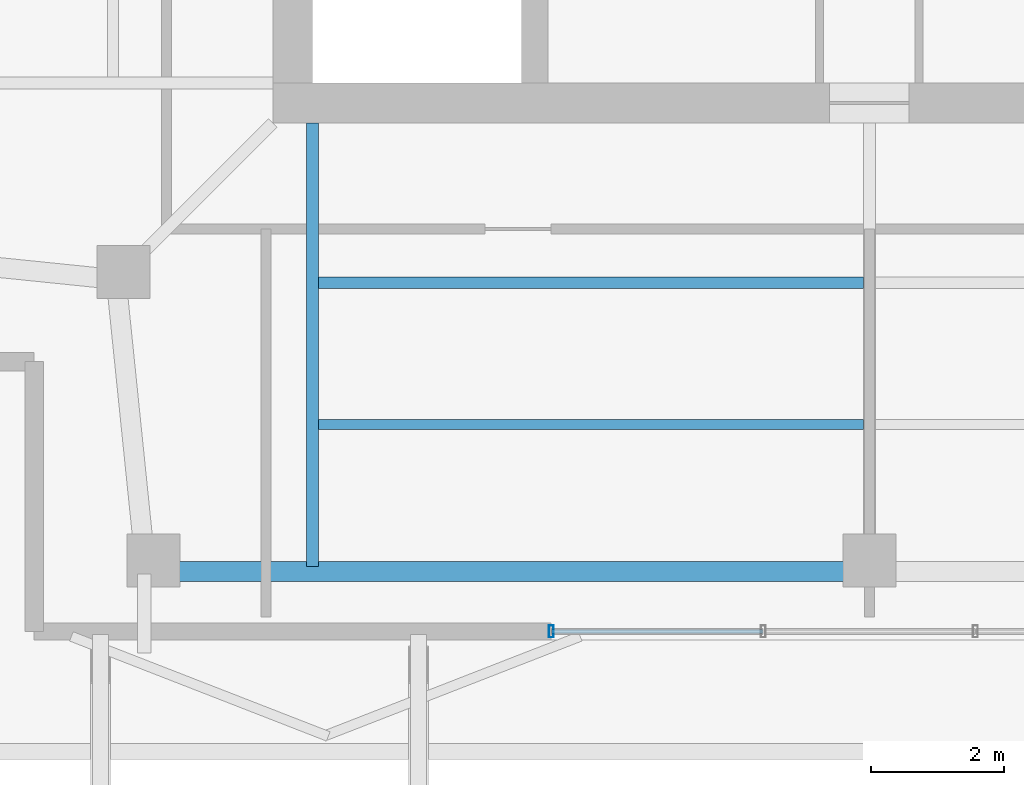
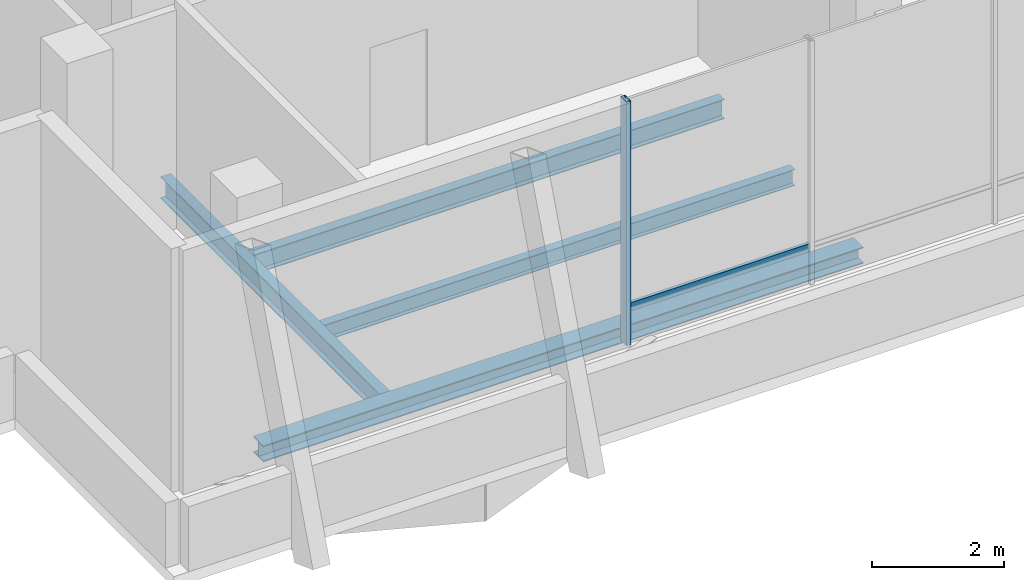
# One storey, part 2 of 15: 4 beams, 2 members, 1 element without a shape of its own.
"""IFC4 building model written with IfcOpenShell, lengths in metres."""

from ifc_helpers import new_model, si_unit, direction, frame, origin, origin_2d, place, context, subcontext, project, spatial, hollow_rectangle, i_section, extrude, material, layer, layer_set, material_profile, profile_set, type_object, element, aggregate, save


model = new_model("IFC4")

# Units and contexts
model_context = context("Model", 3, precision=1e-05, world=origin(), true_north=direction((0.0, 1.0)))
body_context = subcontext(model_context, "Body", "Model", "MODEL_VIEW")
ifc_project = project(units=[si_unit("LENGTHUNIT", "METRE"), si_unit("AREAUNIT", "SQUARE_METRE"), si_unit("VOLUMEUNIT", "CUBIC_METRE"), si_unit("PLANEANGLEUNIT", "RADIAN"), si_unit("MASSUNIT", "GRAM", prefix="KILO")], contexts=[model_context])

# Site, building, storey
site_placement = place(None, origin())
site = spatial("IfcSite", under=ifc_project, at=site_placement, CompositionType="ELEMENT")
building_placement = place(site_placement, origin())
building = spatial("IfcBuilding", under=site, at=building_placement, Name="Belovzor Exchange Tower", CompositionType="ELEMENT")
storey_placement = place(building_placement, frame((0.0, 0.0, 373.800048828125)))
storey = spatial("IfcBuildingStorey", under=building, at=storey_placement, Name="L93", CompositionType="ELEMENT", Elevation=373.800048828125)

# Beams
ifc_material_1 = material(Name="Steel S355", Category="steel")
ifc_material_profile_1 = material_profile(ifc_material_1, i_section(OverallWidth=0.300048828125, OverallDepth=0.300048828125, WebThickness=0.010986328125, FlangeThickness=0.01904296875, at=origin_2d()))
ifc_profile_set_1 = profile_set([ifc_material_profile_1], Name="Steel S355")
beam_type_1 = type_object("IfcBeamType", Name="Crown Plant Primary Beam HEB 300", PredefinedType="BEAM", material=ifc_profile_set_1)
beam_1_placement = place(storey_placement, frame((18.10791015625, 13.031005859375, -0.449951171875), z_axis=(1.0, 0.0, 0.0), x_axis=(0.0, 1.0, 0.0)))
element("IfcBeam", 1, at=beam_1_placement, inside=storey, type_object=beam_type_1, Name="FG-CR Crown Plant Primary Beam HEB 300", PredefinedType="BEAM", context=body_context, shape_type="SweptSolid", body=[
    extrude(i_section(OverallWidth=0.300048828125, OverallDepth=0.300048828125, WebThickness=0.010986328125, FlangeThickness=0.01904296875, at=origin_2d()), origin(), (0.0, 0.0, 1.0), 10.47216796875),
])
ifc_material_2 = material(Name="Steel S355", Category="steel")
ifc_material_profile_2 = material_profile(ifc_material_2, i_section(OverallWidth=0.169921875, OverallDepth=0.360107421875, WebThickness=0.008056640625, FlangeThickness=0.0126953125, at=origin_2d()))
ifc_profile_set_2 = profile_set([ifc_material_profile_2], Name="Steel S355")
beam_type_2 = type_object("IfcBeamType", Name="Secondary Infill Floor Joist IPE 360", PredefinedType="BEAM", material=ifc_profile_set_2)
beam_2_placement = place(storey_placement, frame((20.489990234375, 17.389892578125, -0.47998046875), z_axis=(1.0, 0.0, 0.0), x_axis=(0.0, 1.0, 0.0)))
element("IfcBeam", 2, at=beam_2_placement, inside=storey, type_object=beam_type_2, Name="FJ-360 Secondary Infill Floor Joist IPE 360", PredefinedType="BEAM", context=body_context, shape_type="SweptSolid", body=[
    extrude(i_section(OverallWidth=0.169921875, OverallDepth=0.360107421875, WebThickness=0.008056640625, FlangeThickness=0.0126953125, at=origin_2d()), origin(), (0.0, 0.0, 1.0), 8.219970703125),
])
ifc_material_3 = material(Name="Steel S355", Category="steel")
ifc_material_profile_3 = material_profile(ifc_material_3, i_section(OverallWidth=0.14990234375, OverallDepth=0.300048828125, WebThickness=0.007080078125, FlangeThickness=0.0107421875, at=origin_2d()))
ifc_profile_set_3 = profile_set([ifc_material_profile_3], Name="Steel S355")
beam_type_3 = type_object("IfcBeamType", Name="Secondary Trim Floor Joist IPE 300", PredefinedType="BEAM", material=ifc_profile_set_3)
beam_3_placement = place(storey_placement, frame((20.489990234375, 15.248046875, -0.449951171875), z_axis=(1.0, 0.0, 0.0), x_axis=(0.0, 1.0, 0.0)))
element("IfcBeam", 3, at=beam_3_placement, inside=storey, type_object=beam_type_3, Name="FJ-300 Secondary Trim Floor Joist IPE 300", PredefinedType="BEAM", context=body_context, shape_type="SweptSolid", body=[
    extrude(i_section(OverallWidth=0.14990234375, OverallDepth=0.300048828125, WebThickness=0.007080078125, FlangeThickness=0.0107421875, at=origin_2d()), origin(), (0.0, 0.0, 1.0), 8.219970703125),
])

# Curtain wall, members
ifc_material_4 = material(Name="Anodised Aluminium Framing", Category="aluminium")
ifc_layer = layer(ifc_material_4, 0.169921875)
ifc_layer_set = layer_set([ifc_layer], Name="Anodised Aluminium Framing")
curtain_wall_type = type_object("IfcCurtainWallType", Name="Stepped Crown Faceted Lantern Curtain Wall", PredefinedType="NOTDEFINED", material=ifc_layer_set)
curtain_wall_placement = place(storey_placement, origin())
curtain_wall = element("IfcCurtainWall", 4, at=curtain_wall_placement, inside=storey, type_object=curtain_wall_type, Name="CW6 Stepped Crown Faceted Lantern Curtain Wall L93", PredefinedType="NOTDEFINED")
ifc_material_5 = material(Name="Steel S355", Category="steel")
ifc_material_profile_4 = material_profile(ifc_material_5, hollow_rectangle(XDim=0.074951171875, YDim=0.179931640625, WallThickness=0.0048828125, at=origin_2d()))
ifc_profile_set_4 = profile_set([ifc_material_profile_4], Name="Steel S355")
member_type_1 = type_object("IfcMemberType", Name="Thermally Broken Curtain Wall Mullion 180x75", PredefinedType="MULLION", material=ifc_profile_set_4)
member_1_placement = place(storey_placement, frame((24.0, 12.1298828125, 0.0), z_axis=(0.0, 0.0, 1.0), x_axis=(-1.0, 0.0, 0.0)))
member_1 = element("IfcMember", 5, at=member_1_placement, type_object=member_type_1, Name="CW-M180 Curtain Wall Mullion 4", PredefinedType="MULLION", context=body_context, shape_type="SweptSolid", body=[
    extrude(hollow_rectangle(XDim=0.074951171875, YDim=0.179931640625, WallThickness=0.0048828125, at=origin_2d()), origin(), (0.0, 0.0, 1.0), 4.5),
])
ifc_material_6 = material(Name="Steel S355", Category="steel")
ifc_material_profile_5 = material_profile(ifc_material_6, hollow_rectangle(XDim=0.06005859375, YDim=0.14990234375, WallThickness=0.00390625, at=origin_2d()))
ifc_profile_set_5 = profile_set([ifc_material_profile_5], Name="Steel S355")
member_type_2 = type_object("IfcMemberType", Name="Thermally Broken Curtain Wall Transom 150x60", PredefinedType="USERDEFINED", material=ifc_profile_set_5)
member_2_placement = place(storey_placement, frame((27.19189453125, 12.1298828125, 0.64990234375), z_axis=(-1.0, 0.0, 0.0), x_axis=(0.0, -1.0, 0.0)))
member_2 = element("IfcMember", 6, at=member_2_placement, type_object=member_type_2, Name="CW-T150 Curtain Wall Transom 3", ObjectType="TRANSOM", PredefinedType="USERDEFINED", context=body_context, shape_type="SweptSolid", body=[
    extrude(hollow_rectangle(XDim=0.06005859375, YDim=0.14990234375, WallThickness=0.00390625, at=origin_2d()), origin(), (0.0, 0.0, 1.0), 3.183837890625),
])
aggregate(curtain_wall, [member_1, member_2])

# Beam
ifc_material_7 = material(Name="Steel S355", Category="steel")
ifc_material_profile_6 = material_profile(ifc_material_7, i_section(OverallWidth=0.179931640625, OverallDepth=0.39990234375, WebThickness=0.008544921875, FlangeThickness=0.013427734375, at=origin_2d()))
ifc_profile_set_6 = profile_set([ifc_material_profile_6], Name="Steel S355")
beam_type_4 = type_object("IfcBeamType", Name="Zone 5-6 Radial Composite Floor Beam IPE 400", PredefinedType="BEAM", material=ifc_profile_set_6)
beam_4_placement = place(storey_placement, frame((20.39990234375, 19.800048828125, -0.5), z_axis=(0.0, -1.0, 0.0), x_axis=(1.0, 0.0, 0.0)))
element("IfcBeam", 7, at=beam_4_placement, inside=storey, type_object=beam_type_4, Name="FB-400 Zone 5-6 Radial Composite Floor Beam IPE 400", PredefinedType="BEAM", context=body_context, shape_type="SweptSolid", body=[
    extrude(i_section(OverallWidth=0.179931640625, OverallDepth=0.39990234375, WebThickness=0.008544921875, FlangeThickness=0.013427734375, at=origin_2d()), origin(), (0.0, 0.0, 1.0), 6.694091796875),
])

save(model, "model.ifc")
